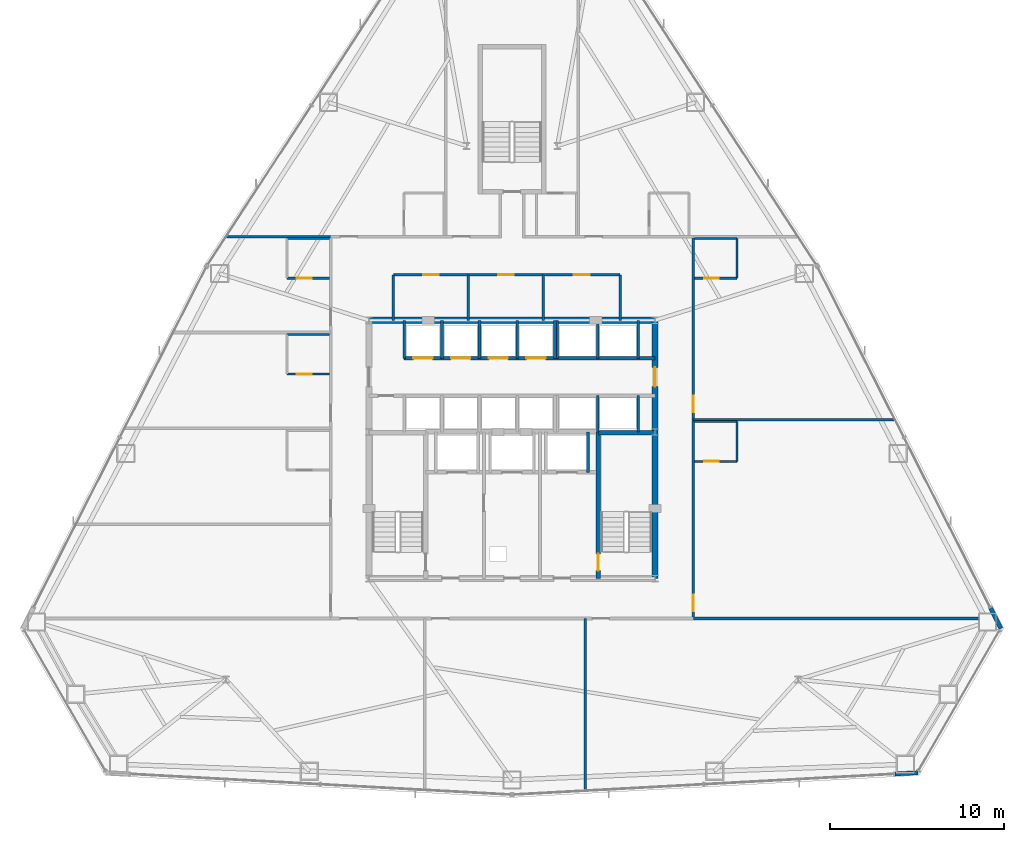
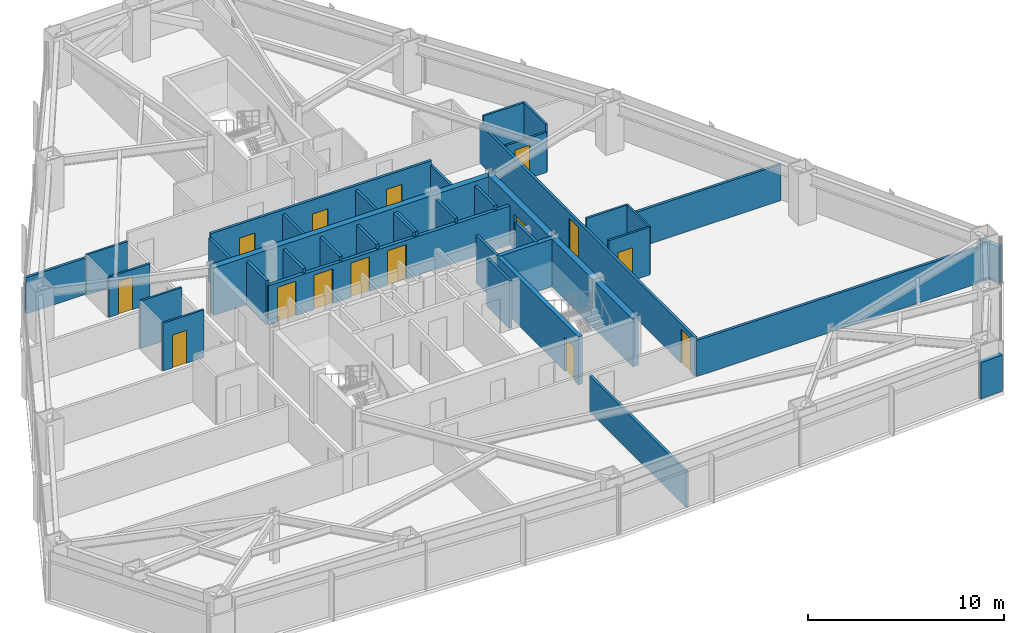
# One storey, part 10 of 12: 38 walls, 15 doors, 15 openings.
"""IFC4 building model written with IfcOpenShell, lengths in metres."""

from ifc_helpers import new_model, si_unit, direction, frame, frame_2d, origin, place, context, subcontext, project, spatial, rectangle, extrude, material, layer, layer_set, type_object, element, fill, save


model = new_model("IFC4")

# Units and contexts
model_context = context("Model", 3, precision=1e-05, world=origin(), true_north=direction((0.0, 1.0)))
body_context = subcontext(model_context, "Body", "Model", "MODEL_VIEW")
ifc_project = project(units=[si_unit("LENGTHUNIT", "METRE"), si_unit("AREAUNIT", "SQUARE_METRE"), si_unit("VOLUMEUNIT", "CUBIC_METRE"), si_unit("PLANEANGLEUNIT", "RADIAN"), si_unit("MASSUNIT", "GRAM", prefix="KILO")], contexts=[model_context])

# Site, building, storey
site_placement = place(None, origin())
site = spatial("IfcSite", under=ifc_project, at=site_placement, CompositionType="ELEMENT")
building_placement = place(site_placement, origin())
building = spatial("IfcBuilding", under=site, at=building_placement, Name="Varakhsha Concourse Tower", CompositionType="ELEMENT")
storey_placement = place(building_placement, frame((0.0, 0.0, 73.39990234375)))
storey = spatial("IfcBuildingStorey", under=building, at=storey_placement, Name="L20", CompositionType="ELEMENT", Elevation=73.39990234375)

# Wall
ifc_material_1 = material(Name="Concrete fc 65 MPa", Category="concrete")
ifc_layer_1 = layer(ifc_material_1, 0.35009765625, Name="WL-CORE-350")
ifc_layer_set_1 = layer_set([ifc_layer_1], Name="Concrete fc 65 MPa")
wall_type_1 = type_object("IfcWallType", Name="WL-CORE-350", PredefinedType="SHEAR", material=ifc_layer_set_1)
wall_1_placement = place(storey_placement, frame((31.800048828125, 31.199951171875, 0.0), z_axis=(0.0, 0.0, 1.0), x_axis=(1.0, 0.0, 0.0)))
element("IfcWall", 1, at=wall_1_placement, inside=storey, type_object=wall_type_1, Name="L20 Wall CWALL-N-L20", PredefinedType="SHEAR", context=body_context, shape_type="SweptSolid", body=[
    extrude(rectangle(XDim=16.39990234375, YDim=0.35009765625, at=frame_2d((8.199951171875, 0.0))), origin(), (0.0, 0.0, 1.0), 2.97021484375),
])

# Wall, opening, door
wall_2_placement = place(storey_placement, frame((48.199951171875, 16.39990234375, 0.0), z_axis=(0.0, 0.0, 1.0), x_axis=(0.0, 1.0, 0.0)))
wall_2 = element("IfcWall", 2, at=wall_2_placement, inside=storey, type_object=wall_type_1, Name="L20 Wall CWALL-E-L20", PredefinedType="SHEAR", context=body_context, shape_type="SweptSolid", body=[
    extrude(rectangle(XDim=14.800048828125, YDim=0.35009765625, at=frame_2d((7.39990234375, 0.0))), origin(), (0.0, 0.0, 1.0), 2.97021484375),
])
opening_1_placement = place(wall_2_placement, frame((11.0, 0.0, 0.0)))
opening_1 = element("IfcOpeningElement", 3, at=opening_1_placement, cuts=wall_2, Name="Opening DL-01", PredefinedType="OPENING", context=body_context, shape_type="SweptSolid", body=[
    extrude(rectangle(XDim=1.10009765625, YDim=2.14990234375, at=frame_2d((0.550048828125, 1.074951171875))), frame((0.0, 0.18505859375, 0.0), z_axis=(0.0, -1.0, 0.0), x_axis=(1.0, 0.0, 0.0)), (0.0, 0.0, 1.0), 0.3701171875),
])
ifc_material_2 = material(Name="Anodised Bronze Architectural Aluminium AA 6063-T6", Category="aluminium")
door_type_1 = type_object("IfcDoorType", Name="DR-LOB-1100", OperationType="NOTDEFINED", PredefinedType="DOOR", material=ifc_material_2)
door_1_placement = place(opening_1_placement, origin())
door_1 = element("IfcDoor", 4, at=door_1_placement, inside=storey, type_object=door_type_1, Name="L20 Lift Lobby East Concourse Door", OperationType="SINGLE_SWING_RIGHT", OverallHeight=2.14990234375, OverallWidth=1.10009765625, PredefinedType="DOOR", context=body_context, shape_type="SweptSolid", body=[
    extrude(rectangle(XDim=1.10009765625, YDim=2.14990234375, at=frame_2d((0.550048828125, 1.074951171875))), frame((0.0, 0.02490234375, 0.0), z_axis=(0.0, -1.0, 0.0), x_axis=(1.0, 0.0, 0.0)), (0.0, 0.0, 1.0), 0.050048828125),
])
fill(opening_1, door_1)

# Walls
ifc_material_3 = material(Name="Concrete fc 45 MPa", Category="concrete")
ifc_layer_2 = layer(ifc_material_3, 0.239990234375, Name="WL-EXT-CRN-240")
ifc_layer_set_2 = layer_set([ifc_layer_2], Name="Concrete fc 45 MPa")
wall_type_2 = type_object("IfcWallType", Name="WL-EXT-CRN-240", PredefinedType="SHEAR", material=ifc_layer_set_2)
wall_3_placement = place(storey_placement, frame((61.9501953125, 5.184814453125, 0.0), z_axis=(0.0, 0.0, 1.0), x_axis=(0.998531751411, 0.054169561778, 0.0)))
element("IfcWall", 5, at=wall_3_placement, inside=storey, type_object=wall_type_2, Name="L20 Wind-Corner Shoulder Wall F6", PredefinedType="SHEAR", context=body_context, shape_type="SweptSolid", body=[
    extrude(rectangle(XDim=1.320556640625, YDim=0.239990234375, at=frame_2d((0.66015625, 0.0))), origin(), (0.0, 0.0, 1.0), 2.253173828125),
])
wall_4_placement = place(storey_placement, frame((68.03955078125, 13.521484375, 0.0), z_axis=(0.0, 0.0, 1.0), x_axis=(-0.452239623624, 0.891896475396, 0.0)))
element("IfcWall", 6, at=wall_4_placement, inside=storey, type_object=wall_type_2, Name="L20 Wind-Corner Shoulder Wall F8", PredefinedType="SHEAR", context=body_context, shape_type="SweptSolid", body=[
    extrude(rectangle(XDim=1.3193359375, YDim=0.239990234375, at=frame_2d((0.65966796875, 0.0))), origin(), (0.0, 0.0, 1.0), 2.253173828125),
])

# Wall, opening, door
ifc_material_4 = material(Name="Acoustic Gypsum Board Partition Assembly", Category="gypsum")
ifc_layer_3 = layer(ifc_material_4, 0.1201171875, Name="WL-PART-120")
ifc_layer_set_3 = layer_set([ifc_layer_3], Name="Acoustic Gypsum Board Partition Assembly")
wall_type_3 = type_object("IfcWallType", Name="WL-PART-120", PredefinedType="PARTITIONING", material=ifc_layer_set_3)
wall_5_placement = place(storey_placement, frame((27.110107421875, 28.110107421875, 0.0), z_axis=(0.0, 0.0, 1.0), x_axis=(1.0, 0.0, 0.0)))
wall_5 = element("IfcWall", 7, at=wall_5_placement, inside=storey, type_object=wall_type_3, Name="L20 Wall ENSW-S-L20-H06", PredefinedType="PARTITIONING", context=body_context, shape_type="SweptSolid", body=[
    extrude(rectangle(XDim=2.429931640625, YDim=0.1201171875, at=frame_2d((1.21484375, 0.0))), origin(), (0.0, 0.0, 1.0), 2.97021484375),
])
opening_2_placement = place(wall_5_placement, frame((0.550048828125, 0.0, 0.0)))
opening_2 = element("IfcOpeningElement", 8, at=opening_2_placement, cuts=wall_5, Name="Opening DI-01", PredefinedType="OPENING", context=body_context, shape_type="SweptSolid", body=[
    extrude(rectangle(XDim=0.85009765625, YDim=2.050048828125, at=frame_2d((0.425048828125, 1.02490234375))), frame((0.0, 0.070068359375, 0.0), z_axis=(0.0, -1.0, 0.0), x_axis=(1.0, 0.0, 0.0)), (0.0, 0.0, 1.0), 0.14013671875),
])
ifc_material_5 = material(Name="Architectural Walnut Acoustic Timber Door", Category="wood")
door_type_2 = type_object("IfcDoorType", Name="DR-INT-850", OperationType="NOTDEFINED", PredefinedType="DOOR", material=ifc_material_5)
door_2_placement = place(opening_2_placement, origin())
door_2 = element("IfcDoor", 9, at=door_2_placement, inside=storey, type_object=door_type_2, Name="L20 En-suite Bathroom Door L20-H06", OperationType="SINGLE_SWING_RIGHT", OverallHeight=2.050048828125, OverallWidth=0.85009765625, PredefinedType="DOOR", context=body_context, shape_type="SweptSolid", body=[
    extrude(rectangle(XDim=0.85009765625, YDim=2.050048828125, at=frame_2d((0.425048828125, 1.02490234375))), frame((0.0, 0.02490234375, 0.0), z_axis=(0.0, -1.0, 0.0), x_axis=(1.0, 0.0, 0.0)), (0.0, 0.0, 1.0), 0.050048828125),
])
fill(opening_2, door_2)

# Wall
wall_6_placement = place(storey_placement, frame((27.110107421875, 30.389892578125, 0.0), z_axis=(0.0, 0.0, 1.0), x_axis=(1.0, 0.0, 0.0)))
element("IfcWall", 10, at=wall_6_placement, inside=storey, type_object=wall_type_3, Name="L20 Wall ENSW-N-L20-H06", PredefinedType="PARTITIONING", context=body_context, shape_type="SweptSolid", body=[
    extrude(rectangle(XDim=2.429931640625, YDim=0.1201171875, at=frame_2d((1.21484375, 0.0))), origin(), (0.0, 0.0, 1.0), 2.97021484375),
])

# Wall, opening, door
wall_7_placement = place(storey_placement, frame((27.110107421875, 33.610107421875, 0.0), z_axis=(0.0, 0.0, 1.0), x_axis=(1.0, 0.0, 0.0)))
wall_7 = element("IfcWall", 11, at=wall_7_placement, inside=storey, type_object=wall_type_3, Name="L20 Wall ENSW-S-L20-H07", PredefinedType="PARTITIONING", context=body_context, shape_type="SweptSolid", body=[
    extrude(rectangle(XDim=2.429931640625, YDim=0.1201171875, at=frame_2d((1.21484375, 0.0))), origin(), (0.0, 0.0, 1.0), 2.503173828125),
])
opening_3_placement = place(wall_7_placement, frame((0.550048828125, 0.0, 0.0)))
opening_3 = element("IfcOpeningElement", 12, at=opening_3_placement, cuts=wall_7, Name="Opening DI-01", PredefinedType="OPENING", context=body_context, shape_type="SweptSolid", body=[
    extrude(rectangle(XDim=0.85009765625, YDim=2.050048828125, at=frame_2d((0.425048828125, 1.02490234375))), frame((0.0, 0.070068359375, 0.0), z_axis=(0.0, -1.0, 0.0), x_axis=(1.0, 0.0, 0.0)), (0.0, 0.0, 1.0), 0.14013671875),
])
door_3_placement = place(opening_3_placement, origin())
door_3 = element("IfcDoor", 13, at=door_3_placement, inside=storey, type_object=door_type_2, Name="L20 En-suite Bathroom Door L20-H07", OperationType="SINGLE_SWING_RIGHT", OverallHeight=2.050048828125, OverallWidth=0.85009765625, PredefinedType="DOOR", context=body_context, shape_type="SweptSolid", body=[
    extrude(rectangle(XDim=0.85009765625, YDim=2.050048828125, at=frame_2d((0.425048828125, 1.02490234375))), frame((0.0, 0.02490234375, 0.0), z_axis=(0.0, -1.0, 0.0), x_axis=(1.0, 0.0, 0.0)), (0.0, 0.0, 1.0), 0.050048828125),
])
fill(opening_3, door_3)

# Walls
wall_8_placement = place(storey_placement, frame((27.110107421875, 35.889892578125, 0.0), z_axis=(0.0, 0.0, 1.0), x_axis=(1.0, 0.0, 0.0)))
element("IfcWall", 14, at=wall_8_placement, inside=storey, type_object=wall_type_3, Name="L20 Wall ENSW-N-L20-H07", PredefinedType="PARTITIONING", context=body_context, shape_type="SweptSolid", body=[
    extrude(rectangle(XDim=2.429931640625, YDim=0.1201171875, at=frame_2d((1.21484375, 0.0))), origin(), (0.0, 0.0, 1.0), 2.503173828125),
])
wall_9_placement = place(storey_placement, frame((52.889892578125, 23.110107421875, 0.0), z_axis=(0.0, 0.0, 1.0), x_axis=(0.0, 1.0, 0.0)))
element("IfcWall", 15, at=wall_9_placement, inside=storey, type_object=wall_type_3, Name="L20 Wall ENSW-E-L20-H08", PredefinedType="PARTITIONING", context=body_context, shape_type="SweptSolid", body=[
    extrude(rectangle(XDim=2.27978515625, YDim=0.1201171875, at=frame_2d((1.139892578125, 0.0))), origin(), (0.0, 0.0, 1.0), 2.97021484375),
])

# Wall, opening, door
wall_10_placement = place(storey_placement, frame((50.4599609375, 23.110107421875, 0.0), z_axis=(0.0, 0.0, 1.0), x_axis=(1.0, 0.0, 0.0)))
wall_10 = element("IfcWall", 16, at=wall_10_placement, inside=storey, type_object=wall_type_3, Name="L20 Wall ENSW-S-L20-H08", PredefinedType="PARTITIONING", context=body_context, shape_type="SweptSolid", body=[
    extrude(rectangle(XDim=2.429931640625, YDim=0.1201171875, at=frame_2d((1.21484375, 0.0))), origin(), (0.0, 0.0, 1.0), 2.97021484375),
])
opening_4_placement = place(wall_10_placement, frame((0.550048828125, 0.0, 0.0)))
opening_4 = element("IfcOpeningElement", 17, at=opening_4_placement, cuts=wall_10, Name="Opening DI-01", PredefinedType="OPENING", context=body_context, shape_type="SweptSolid", body=[
    extrude(rectangle(XDim=0.85009765625, YDim=2.050048828125, at=frame_2d((0.425048828125, 1.02490234375))), frame((0.0, 0.070068359375, 0.0), z_axis=(0.0, -1.0, 0.0), x_axis=(1.0, 0.0, 0.0)), (0.0, 0.0, 1.0), 0.14013671875),
])
door_4_placement = place(opening_4_placement, origin())
door_4 = element("IfcDoor", 18, at=door_4_placement, inside=storey, type_object=door_type_2, Name="L20 En-suite Bathroom Door L20-H08", OperationType="SINGLE_SWING_RIGHT", OverallHeight=2.050048828125, OverallWidth=0.85009765625, PredefinedType="DOOR", context=body_context, shape_type="SweptSolid", body=[
    extrude(rectangle(XDim=0.85009765625, YDim=2.050048828125, at=frame_2d((0.425048828125, 1.02490234375))), frame((0.0, 0.02490234375, 0.0), z_axis=(0.0, -1.0, 0.0), x_axis=(1.0, 0.0, 0.0)), (0.0, 0.0, 1.0), 0.050048828125),
])
fill(opening_4, door_4)

# Walls
wall_11_placement = place(storey_placement, frame((50.4599609375, 25.389892578125, 0.0), z_axis=(0.0, 0.0, 1.0), x_axis=(1.0, 0.0, 0.0)))
element("IfcWall", 19, at=wall_11_placement, inside=storey, type_object=wall_type_3, Name="L20 Wall ENSW-N-L20-H08", PredefinedType="PARTITIONING", context=body_context, shape_type="SweptSolid", body=[
    extrude(rectangle(XDim=2.429931640625, YDim=0.1201171875, at=frame_2d((1.21484375, 0.0))), origin(), (0.0, 0.0, 1.0), 2.97021484375),
])
wall_12_placement = place(storey_placement, frame((52.889892578125, 33.610107421875, 0.0), z_axis=(0.0, 0.0, 1.0), x_axis=(0.0, 1.0, 0.0)))
element("IfcWall", 20, at=wall_12_placement, inside=storey, type_object=wall_type_3, Name="L20 Wall ENSW-E-L20-H09", PredefinedType="PARTITIONING", context=body_context, shape_type="SweptSolid", body=[
    extrude(rectangle(XDim=2.27978515625, YDim=0.1201171875, at=frame_2d((1.139892578125, 0.0))), origin(), (0.0, 0.0, 1.0), 2.97021484375),
])

# Wall, opening, door
wall_13_placement = place(storey_placement, frame((50.4599609375, 33.610107421875, 0.0), z_axis=(0.0, 0.0, 1.0), x_axis=(1.0, 0.0, 0.0)))
wall_13 = element("IfcWall", 21, at=wall_13_placement, inside=storey, type_object=wall_type_3, Name="L20 Wall ENSW-S-L20-H09", PredefinedType="PARTITIONING", context=body_context, shape_type="SweptSolid", body=[
    extrude(rectangle(XDim=2.429931640625, YDim=0.1201171875, at=frame_2d((1.21484375, 0.0))), origin(), (0.0, 0.0, 1.0), 2.503173828125),
])
opening_5_placement = place(wall_13_placement, frame((0.550048828125, 0.0, 0.0)))
opening_5 = element("IfcOpeningElement", 22, at=opening_5_placement, cuts=wall_13, Name="Opening DI-01", PredefinedType="OPENING", context=body_context, shape_type="SweptSolid", body=[
    extrude(rectangle(XDim=0.85009765625, YDim=2.050048828125, at=frame_2d((0.425048828125, 1.02490234375))), frame((0.0, 0.070068359375, 0.0), z_axis=(0.0, -1.0, 0.0), x_axis=(1.0, 0.0, 0.0)), (0.0, 0.0, 1.0), 0.14013671875),
])
door_5_placement = place(opening_5_placement, origin())
door_5 = element("IfcDoor", 23, at=door_5_placement, inside=storey, type_object=door_type_2, Name="L20 En-suite Bathroom Door L20-H09", OperationType="SINGLE_SWING_RIGHT", OverallHeight=2.050048828125, OverallWidth=0.85009765625, PredefinedType="DOOR", context=body_context, shape_type="SweptSolid", body=[
    extrude(rectangle(XDim=0.85009765625, YDim=2.050048828125, at=frame_2d((0.425048828125, 1.02490234375))), frame((0.0, 0.02490234375, 0.0), z_axis=(0.0, -1.0, 0.0), x_axis=(1.0, 0.0, 0.0)), (0.0, 0.0, 1.0), 0.050048828125),
])
fill(opening_5, door_5)

# Wall
wall_14_placement = place(storey_placement, frame((50.4599609375, 35.889892578125, 0.0), z_axis=(0.0, 0.0, 1.0), x_axis=(1.0, 0.0, 0.0)))
element("IfcWall", 24, at=wall_14_placement, inside=storey, type_object=wall_type_3, Name="L20 Wall ENSW-N-L20-H09", PredefinedType="PARTITIONING", context=body_context, shape_type="SweptSolid", body=[
    extrude(rectangle(XDim=2.429931640625, YDim=0.1201171875, at=frame_2d((1.21484375, 0.0))), origin(), (0.0, 0.0, 1.0), 2.97021484375),
])

# Wall, openings, doors
ifc_material_6 = material(Name="Fire-Rated Type X Gypsum Partition Assembly", Category="gypsum")
ifc_layer_4 = layer(ifc_material_6, 0.14990234375, Name="WL-PART-150")
ifc_layer_set_4 = layer_set([ifc_layer_4], Name="Fire-Rated Type X Gypsum Partition Assembly")
wall_type_4 = type_object("IfcWallType", Name="WL-PART-150", PredefinedType="PARTITIONING", material=ifc_layer_set_4)
wall_15_placement = place(storey_placement, frame((33.199951171875, 33.800048828125, 0.0), z_axis=(0.0, 0.0, 1.0), x_axis=(1.0, 0.0, 0.0)))
wall_15 = element("IfcWall", 25, at=wall_15_placement, inside=storey, type_object=wall_type_4, Name="L20 Wall NBOH-N-L20", PredefinedType="PARTITIONING", context=body_context, shape_type="SweptSolid", body=[
    extrude(rectangle(XDim=13.0, YDim=0.14990234375, at=frame_2d((6.5, 0.0))), origin(), (0.0, 0.0, 1.0), 2.97021484375),
])
opening_6_placement = place(wall_15_placement, frame((1.699951171875, 0.0, 0.0)))
opening_6 = element("IfcOpeningElement", 26, at=opening_6_placement, cuts=wall_15, Name="Opening DF-06", PredefinedType="OPENING", context=body_context, shape_type="SweptSolid", body=[
    extrude(rectangle(XDim=0.89990234375, YDim=2.10009765625, at=frame_2d((0.449951171875, 1.050048828125))), frame((0.0, 0.0849609375, 0.0), z_axis=(0.0, -1.0, 0.0), x_axis=(1.0, 0.0, 0.0)), (0.0, 0.0, 1.0), 0.169921875),
])
opening_7_placement = place(wall_15_placement, frame((6.0, 0.0, 0.0)))
opening_7 = element("IfcOpeningElement", 27, at=opening_7_placement, cuts=wall_15, Name="Opening DF-06", PredefinedType="OPENING", context=body_context, shape_type="SweptSolid", body=[
    extrude(rectangle(XDim=0.89990234375, YDim=2.10009765625, at=frame_2d((0.449951171875, 1.050048828125))), frame((0.0, 0.0849609375, 0.0), z_axis=(0.0, -1.0, 0.0), x_axis=(1.0, 0.0, 0.0)), (0.0, 0.0, 1.0), 0.169921875),
])
opening_8_placement = place(wall_15_placement, frame((10.35009765625, 0.0, 0.0)))
opening_8 = element("IfcOpeningElement", 28, at=opening_8_placement, cuts=wall_15, Name="Opening DF-06", PredefinedType="OPENING", context=body_context, shape_type="SweptSolid", body=[
    extrude(rectangle(XDim=0.89990234375, YDim=2.10009765625, at=frame_2d((0.449951171875, 1.050048828125))), frame((0.0, 0.0849609375, 0.0), z_axis=(0.0, -1.0, 0.0), x_axis=(1.0, 0.0, 0.0)), (0.0, 0.0, 1.0), 0.169921875),
])
ifc_material_7 = material(Name="Hollow Galvanised Steel Fire Door Assembly", Category="steel")
door_type_3 = type_object("IfcDoorType", Name="DR-FD60-900", OperationType="NOTDEFINED", PredefinedType="DOOR", material=ifc_material_7)
door_6_placement = place(opening_6_placement, origin())
door_6 = element("IfcDoor", 29, at=door_6_placement, inside=storey, type_object=door_type_3, Name="L20 Housekeeping and Linen Room Door", OperationType="SINGLE_SWING_LEFT", OverallHeight=2.10009765625, OverallWidth=0.89990234375, PredefinedType="DOOR", context=body_context, shape_type="SweptSolid", body=[
    extrude(rectangle(XDim=0.89990234375, YDim=2.10009765625, at=frame_2d((0.449951171875, 1.050048828125))), frame((0.0, 0.02490234375, 0.0), z_axis=(0.0, -1.0, 0.0), x_axis=(1.0, 0.0, 0.0)), (0.0, 0.0, 1.0), 0.050048828125),
])
fill(opening_6, door_6)
door_7_placement = place(opening_7_placement, origin())
door_7 = element("IfcDoor", 30, at=door_7_placement, inside=storey, type_object=door_type_3, Name="L20 Accessible WC Door", OperationType="SINGLE_SWING_RIGHT", OverallHeight=2.10009765625, OverallWidth=0.89990234375, PredefinedType="DOOR", context=body_context, shape_type="SweptSolid", body=[
    extrude(rectangle(XDim=0.89990234375, YDim=2.10009765625, at=frame_2d((0.449951171875, 1.050048828125))), frame((0.0, 0.02490234375, 0.0), z_axis=(0.0, -1.0, 0.0), x_axis=(1.0, 0.0, 0.0)), (0.0, 0.0, 1.0), 0.050048828125),
])
fill(opening_7, door_7)
door_8_placement = place(opening_8_placement, origin())
door_8 = element("IfcDoor", 31, at=door_8_placement, inside=storey, type_object=door_type_3, Name="L20 Staff Restroom WC Door", OperationType="SINGLE_SWING_LEFT", OverallHeight=2.10009765625, OverallWidth=0.89990234375, PredefinedType="DOOR", context=body_context, shape_type="SweptSolid", body=[
    extrude(rectangle(XDim=0.89990234375, YDim=2.10009765625, at=frame_2d((0.449951171875, 1.050048828125))), frame((0.0, 0.02490234375, 0.0), z_axis=(0.0, -1.0, 0.0), x_axis=(1.0, 0.0, 0.0)), (0.0, 0.0, 1.0), 0.050048828125),
])
fill(opening_8, door_8)

# Walls
for number, where, z_axis, x_axis, name in (
    (32, (33.199951171875, 31.199951171875, 0.0), (0.0, 0.0, 1.0), (0.0, 1.0, 0.0), "L20 Wall NBOH-W-L20"),
    (33, (46.199951171875, 31.199951171875, 0.0), (0.0, 0.0, 1.0), (0.0, 1.0, 0.0), "L20 Wall NBOH-E-L20"),
    (34, (37.5, 31.199951171875, 0.0), (0.0, 0.0, 1.0), (0.0, 1.0, 0.0), "L20 Wall NBOH-D1-L20"),
    (35, (41.800048828125, 31.199951171875, 0.0), (0.0, 0.0, 1.0), (0.0, 1.0, 0.0), "L20 Wall NBOH-D2-L20"),
):
    element("IfcWall", number, at=place(storey_placement, frame(where, z_axis=z_axis, x_axis=x_axis)), inside=storey, type_object=wall_type_4, Name=name, PredefinedType="PARTITIONING", context=body_context, shape_type="SweptSolid", body=[
        extrude(rectangle(XDim=2.60009765625, YDim=0.14990234375, at=frame_2d((1.300048828125, 0.0))), origin(), (0.0, 0.0, 1.0), 2.697998046875),
    ])

# Wall, openings, doors
wall_16_placement = place(storey_placement, frame((50.39990234375, 14.10009765625, 0.0), z_axis=(0.0, 0.0, 1.0), x_axis=(0.0, 1.0, 0.0)))
wall_16 = element("IfcWall", 36, at=wall_16_placement, inside=storey, type_object=wall_type_4, Name="L20 Wall CRW-E-L20", PredefinedType="PARTITIONING", context=body_context, shape_type="SweptSolid", body=[
    extrude(rectangle(XDim=21.89990234375, YDim=0.14990234375, at=frame_2d((10.949951171875, 0.0))), origin(), (0.0, 0.0, 1.0), 2.421142578125),
])
opening_9_placement = place(wall_16_placement, frame((0.419921875, 0.0, 0.0)))
opening_9 = element("IfcOpeningElement", 37, at=opening_9_placement, cuts=wall_16, Name="Opening DF-05", PredefinedType="OPENING", context=body_context, shape_type="SweptSolid", body=[
    extrude(rectangle(XDim=0.949951171875, YDim=2.10009765625, at=frame_2d((0.47509765625, 1.050048828125))), frame((0.0, 0.0849609375, 0.0), z_axis=(0.0, -1.0, 0.0), x_axis=(1.0, 0.0, 0.0)), (0.0, 0.0, 1.0), 0.169921875),
])
opening_10_placement = place(wall_16_placement, frame((11.820068359375, 0.0, 0.0)))
opening_10 = element("IfcOpeningElement", 38, at=opening_10_placement, cuts=wall_16, Name="Opening DF-05", PredefinedType="OPENING", context=body_context, shape_type="SweptSolid", body=[
    extrude(rectangle(XDim=0.949951171875, YDim=2.10009765625, at=frame_2d((0.47509765625, 1.050048828125))), frame((0.0, 0.0849609375, 0.0), z_axis=(0.0, -1.0, 0.0), x_axis=(1.0, 0.0, 0.0)), (0.0, 0.0, 1.0), 0.169921875),
])
door_type_4 = type_object("IfcDoorType", Name="DR-FD60-950", OperationType="NOTDEFINED", PredefinedType="DOOR", material=ifc_material_7)
door_9_placement = place(opening_9_placement, origin())
door_9 = element("IfcDoor", 39, at=door_9_placement, inside=storey, type_object=door_type_4, Name="L20 Hotel Corner Suite L20-H08 Entry Door", OperationType="SINGLE_SWING_RIGHT", OverallHeight=2.10009765625, OverallWidth=0.949951171875, PredefinedType="DOOR", context=body_context, shape_type="SweptSolid", body=[
    extrude(rectangle(XDim=0.949951171875, YDim=2.10009765625, at=frame_2d((0.47509765625, 1.050048828125))), frame((0.0, 0.02490234375, 0.0), z_axis=(0.0, -1.0, 0.0), x_axis=(1.0, 0.0, 0.0)), (0.0, 0.0, 1.0), 0.050048828125),
])
fill(opening_9, door_9)
door_10_placement = place(opening_10_placement, origin())
door_10 = element("IfcDoor", 40, at=door_10_placement, inside=storey, type_object=door_type_4, Name="L20 Hotel Corner Suite L20-H09 Entry Door", OperationType="SINGLE_SWING_LEFT", OverallHeight=2.10009765625, OverallWidth=0.949951171875, PredefinedType="DOOR", context=body_context, shape_type="SweptSolid", body=[
    extrude(rectangle(XDim=0.949951171875, YDim=2.10009765625, at=frame_2d((0.47509765625, 1.050048828125))), frame((0.0, 0.02490234375, 0.0), z_axis=(0.0, -1.0, 0.0), x_axis=(1.0, 0.0, 0.0)), (0.0, 0.0, 1.0), 0.050048828125),
])
fill(opening_10, door_10)

# Walls
wall_17_placement = place(storey_placement, frame((44.199951171875, 4.225341796875, 0.0), z_axis=(0.0, 0.0, 1.0), x_axis=(0.0, 1.0, 0.0)))
element("IfcWall", 41, at=wall_17_placement, inside=storey, type_object=wall_type_4, Name="L20 Wall HDIV-S2-L20", PredefinedType="PARTITIONING", context=body_context, shape_type="SweptSolid", body=[
    extrude(rectangle(XDim=9.874755859375, YDim=0.14990234375, at=frame_2d((4.9375, 0.0))), origin(), (0.0, 0.0, 1.0), 2.258056640625),
])
wall_18_placement = place(storey_placement, frame((23.611328125, 36.0, 0.0), z_axis=(0.0, 0.0, 1.0), x_axis=(1.0, 0.0, 0.0)))
element("IfcWall", 42, at=wall_18_placement, inside=storey, type_object=wall_type_4, Name="L20 Wall HDIV-WBN-L20", PredefinedType="PARTITIONING", context=body_context, shape_type="SweptSolid", body=[
    extrude(rectangle(XDim=5.98876953125, YDim=0.14990234375, at=frame_2d((2.994384765625, 0.0))), origin(), (0.0, 0.0, 1.0), 2.258056640625),
])
wall_19_placement = place(storey_placement, frame((50.39990234375, 14.10009765625, 0.0), z_axis=(0.0, 0.0, 1.0), x_axis=(1.0, 0.0, 0.0)))
element("IfcWall", 43, at=wall_19_placement, inside=storey, type_object=wall_type_4, Name="L20 Wall HDIV-EB0-L20", PredefinedType="PARTITIONING", context=body_context, shape_type="SweptSolid", body=[
    extrude(rectangle(XDim=17.340576171875, YDim=0.14990234375, at=frame_2d((8.67041015625, 0.0))), origin(), (0.0, 0.0, 1.0), 2.258056640625),
])
wall_20_placement = place(storey_placement, frame((50.39990234375, 25.5, 0.0), z_axis=(0.0, 0.0, 1.0), x_axis=(1.0, 0.0, 0.0)))
element("IfcWall", 44, at=wall_20_placement, inside=storey, type_object=wall_type_4, Name="L20 Wall HDIV-E1-L20", PredefinedType="PARTITIONING", context=body_context, shape_type="SweptSolid", body=[
    extrude(rectangle(XDim=11.5595703125, YDim=0.14990234375, at=frame_2d((5.77978515625, 0.0))), origin(), (0.0, 0.0, 1.0), 2.258056640625),
])
ifc_layer_5 = layer(ifc_material_6, 0.199951171875, Name="WL-SHAFT-220")
ifc_layer_set_5 = layer_set([ifc_layer_5], Name="Fire-Rated Type X Gypsum Partition Assembly")
wall_type_5 = type_object("IfcWallType", Name="WL-SHAFT-220", PredefinedType="SOLIDWALL", material=ifc_layer_set_5)
wall_21_placement = place(storey_placement, frame((44.35009765625, 22.47998046875, 0.0), z_axis=(0.0, 0.0, 1.0), x_axis=(0.0, 1.0, 0.0)))
element("IfcWall", 45, at=wall_21_placement, inside=storey, type_object=wall_type_5, Name="L20 Wall SHW-FFL-2-E-L20", PredefinedType="SOLIDWALL", context=body_context, shape_type="SweptSolid", body=[
    extrude(rectangle(XDim=2.320068359375, YDim=0.159912109375, at=frame_2d((1.16015625, 0.0))), origin(), (0.0, 0.0, 1.0), 2.97021484375),
])

# Wall, openings, doors
wall_22_placement = place(storey_placement, frame((33.820068359375, 29.02001953125, 0.0), z_axis=(0.0, 0.0, 1.0), x_axis=(1.0, 0.0, 0.0)))
wall_22 = element("IfcWall", 46, at=wall_22_placement, inside=storey, type_object=wall_type_5, Name="L20 Wall PLW-N-L20", PredefinedType="SOLIDWALL", context=body_context, shape_type="SweptSolid", body=[
    extrude(rectangle(XDim=14.3798828125, YDim=0.199951171875, at=frame_2d((7.18994140625, 0.0))), origin(), (0.0, 0.0, 1.0), 2.421142578125),
])
opening_11_placement = place(wall_22_placement, frame((0.530029296875, 0.0, 0.0)))
opening_11 = element("IfcOpeningElement", 47, at=opening_11_placement, cuts=wall_22, Name="Opening LD-LF-P01", PredefinedType="OPENING", context=body_context, shape_type="SweptSolid", body=[
    extrude(rectangle(XDim=1.10009765625, YDim=2.14990234375, at=frame_2d((0.550048828125, 1.074951171875))), frame((0.0, 0.10986328125, 0.0), z_axis=(0.0, -1.0, 0.0), x_axis=(1.0, 0.0, 0.0)), (0.0, 0.0, 1.0), 0.219970703125),
])
opening_12_placement = place(wall_22_placement, frame((2.68994140625, 0.0, 0.0)))
opening_12 = element("IfcOpeningElement", 48, at=opening_12_placement, cuts=wall_22, Name="Opening LD-LF-P02", PredefinedType="OPENING", context=body_context, shape_type="SweptSolid", body=[
    extrude(rectangle(XDim=1.10009765625, YDim=2.14990234375, at=frame_2d((0.550048828125, 1.074951171875))), frame((0.0, 0.10986328125, 0.0), z_axis=(0.0, -1.0, 0.0), x_axis=(1.0, 0.0, 0.0)), (0.0, 0.0, 1.0), 0.219970703125),
])
opening_13_placement = place(wall_22_placement, frame((4.85009765625, 0.0, 0.0)))
opening_13 = element("IfcOpeningElement", 49, at=opening_13_placement, cuts=wall_22, Name="Opening LD-LF-P03", PredefinedType="OPENING", context=body_context, shape_type="SweptSolid", body=[
    extrude(rectangle(XDim=1.10009765625, YDim=2.14990234375, at=frame_2d((0.550048828125, 1.074951171875))), frame((0.0, 0.10986328125, 0.0), z_axis=(0.0, -1.0, 0.0), x_axis=(1.0, 0.0, 0.0)), (0.0, 0.0, 1.0), 0.219970703125),
])
opening_14_placement = place(wall_22_placement, frame((7.010009765625, 0.0, 0.0)))
opening_14 = element("IfcOpeningElement", 50, at=opening_14_placement, cuts=wall_22, Name="Opening LD-LF-P04", PredefinedType="OPENING", context=body_context, shape_type="SweptSolid", body=[
    extrude(rectangle(XDim=1.10009765625, YDim=2.14990234375, at=frame_2d((0.550048828125, 1.074951171875))), frame((0.0, 0.10986328125, 0.0), z_axis=(0.0, -1.0, 0.0), x_axis=(1.0, 0.0, 0.0)), (0.0, 0.0, 1.0), 0.219970703125),
])
ifc_material_8 = material(Name="Brushed Austenitic Stainless Steel AISI 316", Category="steel")
door_type_5 = type_object("IfcDoorType", Name="DR-LD-1100", OperationType="DOUBLE_DOOR_SLIDING", PredefinedType="DOOR", material=ifc_material_8)
door_11_placement = place(opening_11_placement, origin())
door_11 = element("IfcDoor", 51, at=door_11_placement, inside=storey, type_object=door_type_5, Name="Lift Landing Door LF-P01 L20", OperationType="DOUBLE_DOOR_SLIDING", OverallHeight=2.14990234375, OverallWidth=1.10009765625, PredefinedType="DOOR", context=body_context, shape_type="SweptSolid", body=[
    extrude(rectangle(XDim=1.10009765625, YDim=2.14990234375, at=frame_2d((0.550048828125, 1.074951171875))), frame((0.0, 0.02490234375, 0.0), z_axis=(0.0, -1.0, 0.0), x_axis=(1.0, 0.0, 0.0)), (0.0, 0.0, 1.0), 0.050048828125),
])
fill(opening_11, door_11)
door_12_placement = place(opening_12_placement, origin())
door_12 = element("IfcDoor", 52, at=door_12_placement, inside=storey, type_object=door_type_5, Name="Lift Landing Door LF-P02 L20", OperationType="DOUBLE_DOOR_SLIDING", OverallHeight=2.14990234375, OverallWidth=1.10009765625, PredefinedType="DOOR", context=body_context, shape_type="SweptSolid", body=[
    extrude(rectangle(XDim=1.10009765625, YDim=2.14990234375, at=frame_2d((0.550048828125, 1.074951171875))), frame((0.0, 0.02490234375, 0.0), z_axis=(0.0, -1.0, 0.0), x_axis=(1.0, 0.0, 0.0)), (0.0, 0.0, 1.0), 0.050048828125),
])
fill(opening_12, door_12)
door_13_placement = place(opening_13_placement, origin())
door_13 = element("IfcDoor", 53, at=door_13_placement, inside=storey, type_object=door_type_5, Name="Lift Landing Door LF-P03 L20", OperationType="DOUBLE_DOOR_SLIDING", OverallHeight=2.14990234375, OverallWidth=1.10009765625, PredefinedType="DOOR", context=body_context, shape_type="SweptSolid", body=[
    extrude(rectangle(XDim=1.10009765625, YDim=2.14990234375, at=frame_2d((0.550048828125, 1.074951171875))), frame((0.0, 0.02490234375, 0.0), z_axis=(0.0, -1.0, 0.0), x_axis=(1.0, 0.0, 0.0)), (0.0, 0.0, 1.0), 0.050048828125),
])
fill(opening_13, door_13)
door_14_placement = place(opening_14_placement, origin())
door_14 = element("IfcDoor", 54, at=door_14_placement, inside=storey, type_object=door_type_5, Name="Lift Landing Door LF-P04 L20", OperationType="DOUBLE_DOOR_SLIDING", OverallHeight=2.14990234375, OverallWidth=1.10009765625, PredefinedType="DOOR", context=body_context, shape_type="SweptSolid", body=[
    extrude(rectangle(XDim=1.10009765625, YDim=2.14990234375, at=frame_2d((0.550048828125, 1.074951171875))), frame((0.0, 0.02490234375, 0.0), z_axis=(0.0, -1.0, 0.0), x_axis=(1.0, 0.0, 0.0)), (0.0, 0.0, 1.0), 0.050048828125),
])
fill(opening_14, door_14)

# Walls
for number, where, z_axis, x_axis, name in (
    (55, (33.820068359375, 29.02001953125, 0.0), (0.0, 0.0, 1.0), (0.0, 1.0, 0.0), "L20 Wall WBOH-E1-L20"),
    (56, (35.97998046875, 29.02001953125, 0.0), (0.0, 0.0, 1.0), (0.0, 1.0, 0.0), "L20 Wall SHW-LF-P01-E-L20"),
    (57, (38.139892578125, 29.02001953125, 0.0), (0.0, 0.0, 1.0), (0.0, 1.0, 0.0), "L20 Wall SHW-LF-P02-E-L20"),
    (58, (40.300048828125, 29.02001953125, 0.0), (0.0, 0.0, 1.0), (0.0, 1.0, 0.0), "L20 Wall SHW-LF-P03-E-L20"),
    (59, (42.4599609375, 29.02001953125, 0.0), (0.0, 0.0, 1.0), (0.0, 1.0, 0.0), "L20 Wall SHW-LF-P04-E-L20"),
    (60, (42.60009765625, 29.02001953125, 0.0), (0.0, 0.0, 1.0), (0.0, 1.0, 0.0), "L20 Wall SHW-LF-P09-W-L20"),
    (61, (44.919921875, 29.02001953125, 0.0), (0.0, 0.0, 1.0), (0.0, 1.0, 0.0), "L20 Wall SHW-LF-P09-E-L20"),
    (62, (47.239990234375, 29.02001953125, 0.0), (0.0, 0.0, 1.0), (0.0, 1.0, 0.0), "L20 Wall SHW-LF-P10-E-L20"),
):
    element("IfcWall", number, at=place(storey_placement, frame(where, z_axis=z_axis, x_axis=x_axis)), inside=storey, type_object=wall_type_5, Name=name, PredefinedType="SOLIDWALL", context=body_context, shape_type="SweptSolid", body=[
        extrude(rectangle(XDim=2.179931640625, YDim=0.159912109375, at=frame_2d((1.08984375, 0.0))), origin(), (0.0, 0.0, 1.0), 2.697998046875),
    ])
for number, where, z_axis, x_axis, name in (
    (63, (44.919921875, 24.800048828125, 0.0), (0.0, 0.0, 1.0), (0.0, 1.0, 0.0), "L20 Wall SHW-LF-P11-E-L20"),
    (64, (47.239990234375, 24.800048828125, 0.0), (0.0, 0.0, 1.0), (0.0, 1.0, 0.0), "L20 Wall SHW-LF-P12-E-L20"),
):
    element("IfcWall", number, at=place(storey_placement, frame(where, z_axis=z_axis, x_axis=x_axis)), inside=storey, type_object=wall_type_5, Name=name, PredefinedType="SOLIDWALL", context=body_context, shape_type="SweptSolid", body=[
        extrude(rectangle(XDim=2.079833984375, YDim=0.159912109375, at=frame_2d((1.0400390625, 0.0))), origin(), (0.0, 0.0, 1.0), 2.97021484375),
    ])

# Wall, opening, door
ifc_layer_6 = layer(ifc_material_3, 0.25, Name="WL-STAIR-250")
ifc_layer_set_6 = layer_set([ifc_layer_6], Name="Concrete fc 45 MPa")
wall_type_6 = type_object("IfcWallType", Name="WL-STAIR-250", PredefinedType="SHEAR", material=ifc_layer_set_6)
wall_23_placement = place(storey_placement, frame((44.955078125, 16.39990234375, 0.0), z_axis=(0.0, 0.0, 1.0), x_axis=(0.0, 1.0, 0.0)))
wall_23 = element("IfcWall", 65, at=wall_23_placement, inside=storey, type_object=wall_type_6, Name="L20 Wall SWALL-ST2-W-L20", PredefinedType="SHEAR", context=body_context, shape_type="SweptSolid", body=[
    extrude(rectangle(XDim=8.400146484375, YDim=0.25, at=frame_2d((4.2001953125, 0.0))), origin(), (0.0, 0.0, 1.0), 2.97021484375),
])
opening_15_placement = place(wall_23_placement, frame((0.449951171875, 0.0, 0.0)))
opening_15 = element("IfcOpeningElement", 66, at=opening_15_placement, cuts=wall_23, Name="Opening DF-03", PredefinedType="OPENING", context=body_context, shape_type="SweptSolid", body=[
    extrude(rectangle(XDim=0.949951171875, YDim=2.10009765625, at=frame_2d((0.47509765625, 1.050048828125))), frame((0.0, 0.135009765625, 0.0), z_axis=(0.0, -1.0, 0.0), x_axis=(1.0, 0.0, 0.0)), (0.0, 0.0, 1.0), 0.27001953125),
])
door_type_6 = type_object("IfcDoorType", Name="DR-FD90-950", OperationType="NOTDEFINED", PredefinedType="DOOR", material=ifc_material_7)
door_15_placement = place(opening_15_placement, origin())
door_15 = element("IfcDoor", 67, at=door_15_placement, inside=storey, type_object=door_type_6, Name="L20 Stair ST2 Fire Door", OperationType="SINGLE_SWING_RIGHT", OverallHeight=2.10009765625, OverallWidth=0.949951171875, PredefinedType="DOOR", context=body_context, shape_type="SweptSolid", body=[
    extrude(rectangle(XDim=0.949951171875, YDim=2.10009765625, at=frame_2d((0.47509765625, 1.050048828125))), frame((0.0, 0.02490234375, 0.0), z_axis=(0.0, -1.0, 0.0), x_axis=(1.0, 0.0, 0.0)), (0.0, 0.0, 1.0), 0.050048828125),
])
fill(opening_15, door_15)

# Wall
wall_24_placement = place(storey_placement, frame((44.955078125, 24.7548828125, 0.0), z_axis=(0.0, 0.0, 1.0), x_axis=(1.0, 0.0, 0.0)))
element("IfcWall", 68, at=wall_24_placement, inside=storey, type_object=wall_type_6, Name="L20 Wall SWALL-ST2-N-L20", PredefinedType="SHEAR", context=body_context, shape_type="SweptSolid", body=[
    extrude(rectangle(XDim=3.244873046875, YDim=0.25, at=frame_2d((1.62255859375, 0.0))), origin(), (0.0, 0.0, 1.0), 2.97021484375),
])

save(model, "model.ifc")
